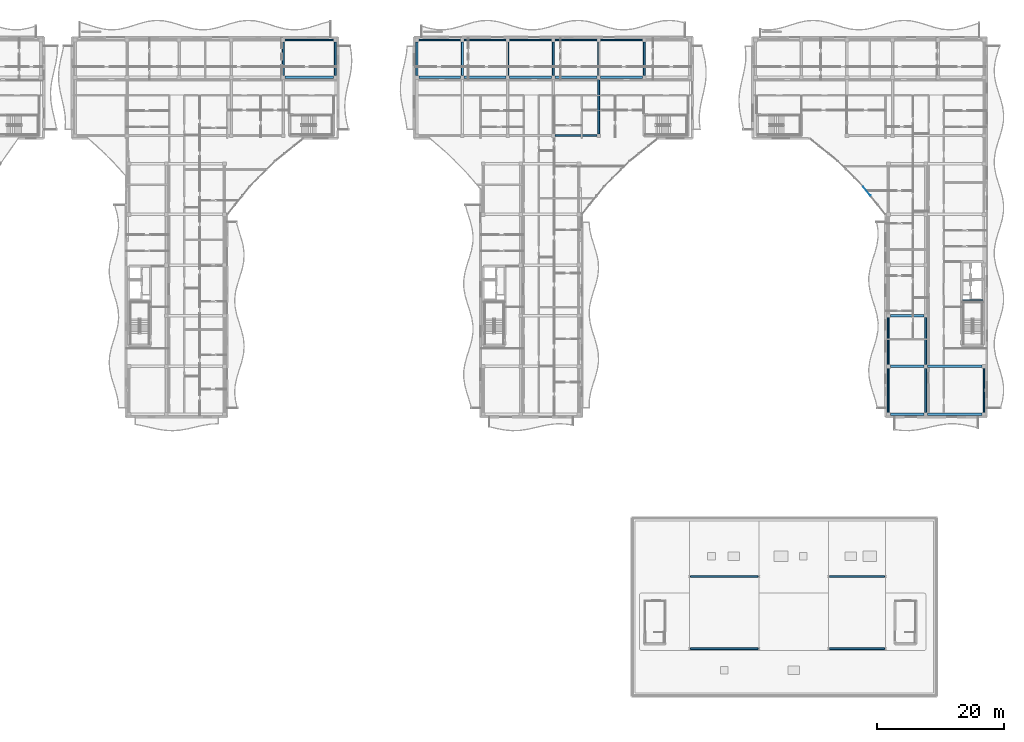
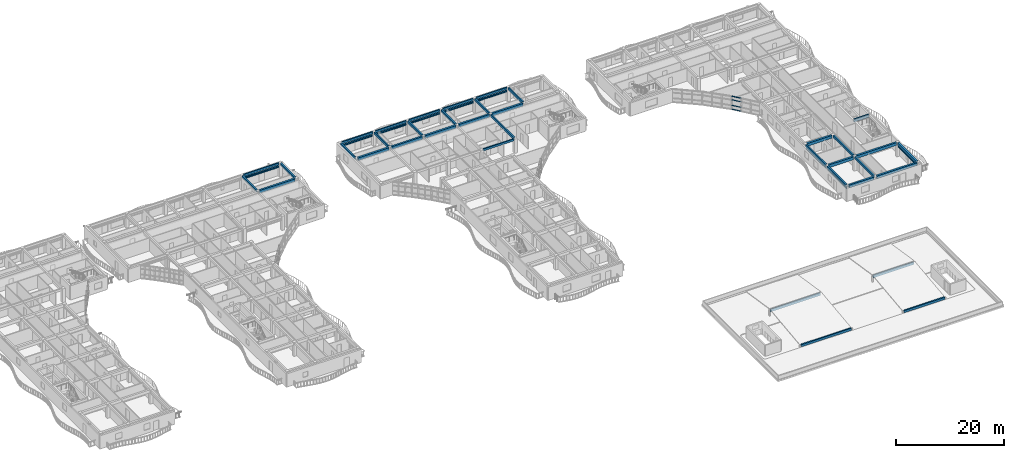
# One storey, part 23 of 79: 37 beams, 22 members, 1 element without a shape of its own.
"""IFC4 building model written with IfcOpenShell, lengths in metres."""

from ifc_helpers import new_model, si_unit, direction, frame, origin, origin_2d, place, context, subcontext, project, spatial, rectangle, hollow_rectangle, extrude, material, layer, layer_set, material_profile, profile_set, type_object, element, aggregate, save


model = new_model("IFC4")

# Units and contexts
model_context = context("Model", 3, precision=1e-05, world=origin(), true_north=direction((0.0, 1.0)))
body_context = subcontext(model_context, "Body", "Model", "MODEL_VIEW")
ifc_project = project(units=[si_unit("LENGTHUNIT", "METRE"), si_unit("AREAUNIT", "SQUARE_METRE"), si_unit("VOLUMEUNIT", "CUBIC_METRE"), si_unit("PLANEANGLEUNIT", "RADIAN"), si_unit("MASSUNIT", "GRAM", prefix="KILO")], contexts=[model_context])

# Site, building, storey
site_placement = place(None, origin())
site = spatial("IfcSite", under=ifc_project, at=site_placement, CompositionType="ELEMENT")
building_placement = place(site_placement, origin())
building = spatial("IfcBuilding", under=site, at=building_placement, Name="Keldmere Railside Commons", CompositionType="ELEMENT")
storey_placement = place(building_placement, frame((0.0, 0.0, 10.56005859375)))
storey = spatial("IfcBuildingStorey", under=building, at=storey_placement, Name="L03", CompositionType="ELEMENT", Elevation=10.56005859375)

# Members
ifc_material_1 = material(Name="Steel F-36 (S355)", Category="steel")
ifc_material_profile_1 = material_profile(ifc_material_1, hollow_rectangle(XDim=0.14990234375, YDim=0.25, WallThickness=0.010009765625, at=origin_2d()), Name="RHS-250x150x10")
ifc_profile_set_1 = profile_set([ifc_material_profile_1], Name="Steel F-36 (S355)")
member_type_1 = type_object("IfcMemberType", Name="Balcony Continuous Planted Trough RHS250x150", PredefinedType="CHORD", material=ifc_profile_set_1)
member_1_placement = place(storey_placement, frame((73.1298828125, 115.550048828125, 2.4150390625), z_axis=(1.0, 0.0, 0.0), x_axis=(0.0, 1.0, 0.0)))
element("IfcMember", 1, at=member_1_placement, inside=storey, type_object=member_type_1, Name="PLT-1 MEM-BPLT-0363", PredefinedType="CHORD", context=body_context, shape_type="SweptSolid", body=[
    extrude(hollow_rectangle(XDim=0.14990234375, YDim=0.25, WallThickness=0.010009765625, at=origin_2d()), origin(), (0.0, 0.0, 1.0), 7.6201171875),
])
member_2_placement = place(storey_placement, frame((94.25, 115.550048828125, 2.4150390625), z_axis=(1.0, 0.0, 0.0), x_axis=(0.0, 1.0, 0.0)))
element("IfcMember", 2, at=member_2_placement, inside=storey, type_object=member_type_1, Name="PLT-1 MEM-BPLT-0389", PredefinedType="CHORD", context=body_context, shape_type="SweptSolid", body=[
    extrude(hollow_rectangle(XDim=0.14990234375, YDim=0.25, WallThickness=0.010009765625, at=origin_2d()), origin(), (0.0, 0.0, 1.0), 6.5830078125),
])
member_3_placement = place(storey_placement, frame((101.43310546875, 115.550048828125, 2.4150390625), z_axis=(1.0, 0.0, 0.0), x_axis=(0.0, 1.0, 0.0)))
element("IfcMember", 3, at=member_3_placement, inside=storey, type_object=member_type_1, Name="PLT-1 MEM-BPLT-0391", PredefinedType="CHORD", context=body_context, shape_type="SweptSolid", body=[
    extrude(hollow_rectangle(XDim=0.14990234375, YDim=0.25, WallThickness=0.010009765625, at=origin_2d()), origin(), (0.0, 0.0, 1.0), 6.583984375),
])
for number, where, z_axis, x_axis, name in (
    (4, (108.616943359375, 115.550048828125, 2.4150390625), (1.0, 0.0, 0.0), (0.0, 1.0, 0.0), "PLT-1 MEM-BPLT-0393"),
    (5, (115.800048828125, 115.550048828125, 2.4150390625), (1.0, 0.0, 0.0), (0.0, 1.0, 0.0), "PLT-1 MEM-BPLT-0395"),
):
    element("IfcMember", number, at=place(storey_placement, frame(where, z_axis=z_axis, x_axis=x_axis)), inside=storey, type_object=member_type_1, Name=name, PredefinedType="CHORD", context=body_context, shape_type="SweptSolid", body=[
        extrude(hollow_rectangle(XDim=0.14990234375, YDim=0.25, WallThickness=0.010009765625, at=origin_2d()), origin(), (0.0, 0.0, 1.0), 6.5830078125),
    ])
member_4_placement = place(storey_placement, frame((122.98291015625, 115.550048828125, 2.4150390625), z_axis=(1.0, 0.0, 0.0), x_axis=(0.0, 1.0, 0.0)))
element("IfcMember", 6, at=member_4_placement, inside=storey, type_object=member_type_1, Name="PLT-1 MEM-BPLT-0397", PredefinedType="CHORD", context=body_context, shape_type="SweptSolid", body=[
    extrude(hollow_rectangle(XDim=0.14990234375, YDim=0.25, WallThickness=0.010009765625, at=origin_2d()), origin(), (0.0, 0.0, 1.0), 6.583984375),
])
member_5_placement = place(storey_placement, frame((168.449951171875, 56.75, 2.4150390625), z_axis=(0.0, 1.0, 0.0), x_axis=(-1.0, 0.0, 0.0)))
element("IfcMember", 7, at=member_5_placement, inside=storey, type_object=member_type_1, Name="PLT-1 MEM-BPLT-0427", PredefinedType="CHORD", context=body_context, shape_type="SweptSolid", body=[
    extrude(hollow_rectangle(XDim=0.14990234375, YDim=0.25, WallThickness=0.010009765625, at=origin_2d()), origin(), (0.0, 0.0, 1.0), 6.949951171875),
])
member_6_placement = place(storey_placement, frame((168.449951171875, 64.300048828125, 2.4150390625), z_axis=(0.0, 1.0, 0.0), x_axis=(-1.0, 0.0, 0.0)))
element("IfcMember", 8, at=member_6_placement, inside=storey, type_object=member_type_1, Name="PLT-1 MEM-BPLT-0429", PredefinedType="CHORD", context=body_context, shape_type="SweptSolid", body=[
    extrude(hollow_rectangle(XDim=0.14990234375, YDim=0.25, WallThickness=0.010009765625, at=origin_2d()), origin(), (0.0, 0.0, 1.0), 7.39990234375),
])
member_7_placement = place(storey_placement, frame((183.550048828125, 56.75, 2.4150390625), z_axis=(0.0, 1.0, 0.0), x_axis=(-1.0, 0.0, 0.0)))
element("IfcMember", 9, at=member_7_placement, inside=storey, type_object=member_type_1, Name="PLT-1 MEM-BPLT-0437", PredefinedType="CHORD", context=body_context, shape_type="SweptSolid", body=[
    extrude(hollow_rectangle(XDim=0.14990234375, YDim=0.25, WallThickness=0.010009765625, at=origin_2d()), origin(), (0.0, 0.0, 1.0), 6.949951171875),
])

# Beams
ifc_material_2 = material(Name="Concrete H-35 (C35/45)", Category="concrete")
ifc_material_profile_2 = material_profile(ifc_material_2, rectangle(XDim=0.300048828125, YDim=0.64990234375, at=origin_2d()), Name="RC-300x650")
ifc_profile_set_2 = profile_set([ifc_material_profile_2], Name="Concrete H-35 (C35/45)")
beam_type_1 = type_object("IfcBeamType", Name="Core Coupling RC Beam 300x650", PredefinedType="BEAM", material=ifc_profile_set_2)
beam_1_placement = place(storey_placement, frame((180.18994140625, 74.39990234375, 2.875), z_axis=(1.0, 0.0, 0.0), x_axis=(0.0, 1.0, 0.0)))
element("IfcBeam", 10, at=beam_1_placement, inside=storey, type_object=beam_type_1, Name="CB-1 BM-L03-2569", PredefinedType="BEAM", context=body_context, shape_type="SweptSolid", body=[
    extrude(rectangle(XDim=0.300048828125, YDim=0.64990234375, at=origin_2d()), origin(), (0.0, 0.0, 1.0), 3.18994140625),
])
ifc_material_3 = material(Name="Architectural Precast Concrete H-35 (C35/45)", Category="concrete")
ifc_material_profile_3 = material_profile(ifc_material_3, rectangle(XDim=0.25, YDim=0.449951171875, at=origin_2d()), Name="RC-250x450")
ifc_profile_set_3 = profile_set([ifc_material_profile_3], Name="Architectural Precast Concrete H-35 (C35/45)")
beam_type_2 = type_object("IfcBeamType", Name="Perimeter Precast Spandrel Beam 250x450", PredefinedType="SPANDREL", material=ifc_profile_set_3)
beam_2_placement = place(storey_placement, frame((115.800048828125, 100.449951171875, 2.974853515625), z_axis=(1.0, 0.0, 0.0), x_axis=(0.0, 1.0, 0.0)))
element("IfcBeam", 11, at=beam_2_placement, inside=storey, type_object=beam_type_2, Name="SPB-1 BM-L03-1376", PredefinedType="SPANDREL", context=body_context, shape_type="SweptSolid", body=[
    extrude(rectangle(XDim=0.25, YDim=0.449951171875, at=origin_2d()), origin(), (0.0, 0.0, 1.0), 6.5830078125),
])
beam_3_placement = place(storey_placement, frame((73.1298828125, 115.550048828125, 2.974853515625), z_axis=(1.0, 0.0, 0.0), x_axis=(0.0, 1.0, 0.0)))
element("IfcBeam", 12, at=beam_3_placement, inside=storey, type_object=beam_type_2, Name="SPB-1 BM-L03-1405", PredefinedType="SPANDREL", context=body_context, shape_type="SweptSolid", body=[
    extrude(rectangle(XDim=0.25, YDim=0.449951171875, at=origin_2d()), origin(), (0.0, 0.0, 1.0), 7.6201171875),
])
beam_4_placement = place(storey_placement, frame((94.25, 115.550048828125, 2.974853515625), z_axis=(1.0, 0.0, 0.0), x_axis=(0.0, 1.0, 0.0)))
element("IfcBeam", 13, at=beam_4_placement, inside=storey, type_object=beam_type_2, Name="SPB-1 BM-L03-1406", PredefinedType="SPANDREL", context=body_context, shape_type="SweptSolid", body=[
    extrude(rectangle(XDim=0.25, YDim=0.449951171875, at=origin_2d()), origin(), (0.0, 0.0, 1.0), 6.5830078125),
])
beam_5_placement = place(storey_placement, frame((101.43310546875, 115.550048828125, 2.974853515625), z_axis=(1.0, 0.0, 0.0), x_axis=(0.0, 1.0, 0.0)))
element("IfcBeam", 14, at=beam_5_placement, inside=storey, type_object=beam_type_2, Name="SPB-1 BM-L03-1407", PredefinedType="SPANDREL", context=body_context, shape_type="SweptSolid", body=[
    extrude(rectangle(XDim=0.25, YDim=0.449951171875, at=origin_2d()), origin(), (0.0, 0.0, 1.0), 6.583984375),
])
for number, where, z_axis, x_axis, name in (
    (15, (108.616943359375, 115.550048828125, 2.974853515625), (1.0, 0.0, 0.0), (0.0, 1.0, 0.0), "SPB-1 BM-L03-1408"),
    (16, (115.800048828125, 115.550048828125, 2.974853515625), (1.0, 0.0, 0.0), (0.0, 1.0, 0.0), "SPB-1 BM-L03-1409"),
):
    element("IfcBeam", number, at=place(storey_placement, frame(where, z_axis=z_axis, x_axis=x_axis)), inside=storey, type_object=beam_type_2, Name=name, PredefinedType="SPANDREL", context=body_context, shape_type="SweptSolid", body=[
        extrude(rectangle(XDim=0.25, YDim=0.449951171875, at=origin_2d()), origin(), (0.0, 0.0, 1.0), 6.5830078125),
    ])
beam_6_placement = place(storey_placement, frame((122.98291015625, 115.550048828125, 2.974853515625), z_axis=(1.0, 0.0, 0.0), x_axis=(0.0, 1.0, 0.0)))
element("IfcBeam", 17, at=beam_6_placement, inside=storey, type_object=beam_type_2, Name="SPB-1 BM-L03-1410", PredefinedType="SPANDREL", context=body_context, shape_type="SweptSolid", body=[
    extrude(rectangle(XDim=0.25, YDim=0.449951171875, at=origin_2d()), origin(), (0.0, 0.0, 1.0), 6.583984375),
])
ifc_material_4 = material(Name="Concrete H-30 (C30/37)", Category="concrete")
ifc_material_profile_4 = material_profile(ifc_material_4, rectangle(XDim=0.35009765625, YDim=0.60009765625, at=origin_2d()), Name="RC-350x600")
ifc_profile_set_4 = profile_set([ifc_material_profile_4], Name="Concrete H-30 (C30/37)")
beam_type_3 = type_object("IfcBeamType", Name="Residential Chord RC Beam 350x600", PredefinedType="BEAM", material=ifc_profile_set_4)
beam_7_placement = place(storey_placement, frame((183.550048828125, 56.75, 2.89990234375), z_axis=(0.0, 1.0, 0.0), x_axis=(-1.0, 0.0, 0.0)))
element("IfcBeam", 18, at=beam_7_placement, inside=storey, type_object=beam_type_3, Name="BG-4 BM-L03-1506", PredefinedType="BEAM", context=body_context, shape_type="SweptSolid", body=[
    extrude(rectangle(XDim=0.35009765625, YDim=0.60009765625, at=origin_2d()), origin(), (0.0, 0.0, 1.0), 6.949951171875),
])
ifc_material_profile_5 = material_profile(ifc_material_4, rectangle(XDim=0.39990234375, YDim=0.64990234375, at=origin_2d()), Name="RC-400x650")
ifc_profile_set_5 = profile_set([ifc_material_profile_5], Name="Concrete H-30 (C30/37)")
beam_type_4 = type_object("IfcBeamType", Name="Residential Spine RC Girder 400x650", PredefinedType="BEAM", material=ifc_profile_set_5)
beam_8_placement = place(storey_placement, frame((168.75, 56.449951171875, 2.875), z_axis=(1.0, 0.0, 0.0), x_axis=(0.0, 1.0, 0.0)))
element("IfcBeam", 19, at=beam_8_placement, inside=storey, type_object=beam_type_4, Name="BG-3 BM-L03-1335", PredefinedType="BEAM", context=body_context, shape_type="SweptSolid", body=[
    extrude(rectangle(XDim=0.39990234375, YDim=0.64990234375, at=origin_2d()), origin(), (0.0, 0.0, 1.0), 5.300048828125),
])
beam_9_placement = place(storey_placement, frame((174.64990234375, 56.449951171875, 2.875), z_axis=(1.0, 0.0, 0.0), x_axis=(0.0, 1.0, 0.0)))
element("IfcBeam", 20, at=beam_9_placement, inside=storey, type_object=beam_type_4, Name="BG-3 BM-L03-1336", PredefinedType="BEAM", context=body_context, shape_type="SweptSolid", body=[
    extrude(rectangle(XDim=0.39990234375, YDim=0.64990234375, at=origin_2d()), origin(), (0.0, 0.0, 1.0), 8.60009765625),
])
beam_10_placement = place(storey_placement, frame((168.75, 64.0, 2.875), z_axis=(1.0, 0.0, 0.0), x_axis=(0.0, 1.0, 0.0)))
element("IfcBeam", 21, at=beam_10_placement, inside=storey, type_object=beam_type_4, Name="BG-3 BM-L03-1343", PredefinedType="BEAM", context=body_context, shape_type="SweptSolid", body=[
    extrude(rectangle(XDim=0.39990234375, YDim=0.64990234375, at=origin_2d()), origin(), (0.0, 0.0, 1.0), 5.300048828125),
])
beam_11_placement = place(storey_placement, frame((174.64990234375, 64.0, 2.875), z_axis=(1.0, 0.0, 0.0), x_axis=(0.0, 1.0, 0.0)))
element("IfcBeam", 22, at=beam_11_placement, inside=storey, type_object=beam_type_4, Name="BG-3 BM-L03-1344", PredefinedType="BEAM", context=body_context, shape_type="SweptSolid", body=[
    extrude(rectangle(XDim=0.39990234375, YDim=0.64990234375, at=origin_2d()), origin(), (0.0, 0.0, 1.0), 8.60009765625),
])
beam_12_placement = place(storey_placement, frame((168.75, 72.0, 2.875), z_axis=(1.0, 0.0, 0.0), x_axis=(0.0, 1.0, 0.0)))
element("IfcBeam", 23, at=beam_12_placement, inside=storey, type_object=beam_type_4, Name="BG-3 BM-L03-1348", PredefinedType="BEAM", context=body_context, shape_type="SweptSolid", body=[
    extrude(rectangle(XDim=0.39990234375, YDim=0.64990234375, at=origin_2d()), origin(), (0.0, 0.0, 1.0), 5.300048828125),
])
beam_13_placement = place(storey_placement, frame((73.1298828125, 109.64990234375, 2.875), z_axis=(1.0, 0.0, 0.0), x_axis=(0.0, 1.0, 0.0)))
element("IfcBeam", 24, at=beam_13_placement, inside=storey, type_object=beam_type_4, Name="BG-3 BM-L03-1386", PredefinedType="BEAM", context=body_context, shape_type="SweptSolid", body=[
    extrude(rectangle(XDim=0.39990234375, YDim=0.64990234375, at=origin_2d()), origin(), (0.0, 0.0, 1.0), 7.6201171875),
])
beam_14_placement = place(storey_placement, frame((94.25, 109.64990234375, 2.875), z_axis=(1.0, 0.0, 0.0), x_axis=(0.0, 1.0, 0.0)))
element("IfcBeam", 25, at=beam_14_placement, inside=storey, type_object=beam_type_4, Name="BG-3 BM-L03-1387", PredefinedType="BEAM", context=body_context, shape_type="SweptSolid", body=[
    extrude(rectangle(XDim=0.39990234375, YDim=0.64990234375, at=origin_2d()), origin(), (0.0, 0.0, 1.0), 6.5830078125),
])
beam_15_placement = place(storey_placement, frame((101.43310546875, 109.64990234375, 2.875), z_axis=(1.0, 0.0, 0.0), x_axis=(0.0, 1.0, 0.0)))
element("IfcBeam", 26, at=beam_15_placement, inside=storey, type_object=beam_type_4, Name="BG-3 BM-L03-1388", PredefinedType="BEAM", context=body_context, shape_type="SweptSolid", body=[
    extrude(rectangle(XDim=0.39990234375, YDim=0.64990234375, at=origin_2d()), origin(), (0.0, 0.0, 1.0), 6.583984375),
])
for number, where, z_axis, x_axis, name in (
    (27, (108.616943359375, 109.64990234375, 2.875), (1.0, 0.0, 0.0), (0.0, 1.0, 0.0), "BG-3 BM-L03-1389"),
    (28, (115.800048828125, 109.64990234375, 2.875), (1.0, 0.0, 0.0), (0.0, 1.0, 0.0), "BG-3 BM-L03-1390"),
):
    element("IfcBeam", number, at=place(storey_placement, frame(where, z_axis=z_axis, x_axis=x_axis)), inside=storey, type_object=beam_type_4, Name=name, PredefinedType="BEAM", context=body_context, shape_type="SweptSolid", body=[
        extrude(rectangle(XDim=0.39990234375, YDim=0.64990234375, at=origin_2d()), origin(), (0.0, 0.0, 1.0), 6.5830078125),
    ])
beam_16_placement = place(storey_placement, frame((122.98291015625, 109.64990234375, 2.875), z_axis=(1.0, 0.0, 0.0), x_axis=(0.0, 1.0, 0.0)))
element("IfcBeam", 29, at=beam_16_placement, inside=storey, type_object=beam_type_4, Name="BG-3 BM-L03-1391", PredefinedType="BEAM", context=body_context, shape_type="SweptSolid", body=[
    extrude(rectangle(XDim=0.39990234375, YDim=0.64990234375, at=origin_2d()), origin(), (0.0, 0.0, 1.0), 6.583984375),
])
ifc_material_profile_6 = material_profile(ifc_material_4, rectangle(XDim=0.300048828125, YDim=0.5, at=origin_2d()), Name="RC-300x500")
ifc_profile_set_6 = profile_set([ifc_material_profile_6], Name="Concrete H-30 (C30/37)")
beam_type_5 = type_object("IfcBeamType", Name="Secondary Frame RC Beam 300x500", PredefinedType="BEAM", material=ifc_profile_set_6)
for number, where, z_axis, x_axis, name in (
    (30, (72.830078125, 109.949951171875, 2.949951171875), (0.0, 1.0, 0.0), (-1.0, 0.0, 0.0), "BG-5 BM-L03-1459"),
    (31, (81.050048828125, 109.949951171875, 2.949951171875), (0.0, 1.0, 0.0), (-1.0, 0.0, 0.0), "BG-5 BM-L03-1460"),
    (32, (93.949951171875, 109.949951171875, 2.949951171875), (0.0, 1.0, 0.0), (-1.0, 0.0, 0.0), "BG-5 BM-L03-1462"),
    (33, (101.133056640625, 109.949951171875, 2.949951171875), (0.0, 1.0, 0.0), (-1.0, 0.0, 0.0), "BG-5 BM-L03-1464"),
    (34, (108.31689453125, 109.949951171875, 2.949951171875), (0.0, 1.0, 0.0), (-1.0, 0.0, 0.0), "BG-5 BM-L03-1468"),
    (35, (115.5, 109.949951171875, 2.949951171875), (0.0, 1.0, 0.0), (-1.0, 0.0, 0.0), "BG-5 BM-L03-1475"),
):
    element("IfcBeam", number, at=place(storey_placement, frame(where, z_axis=z_axis, x_axis=x_axis)), inside=storey, type_object=beam_type_5, Name=name, PredefinedType="BEAM", context=body_context, shape_type="SweptSolid", body=[
        extrude(rectangle(XDim=0.300048828125, YDim=0.5, at=origin_2d()), origin(), (0.0, 0.0, 1.0), 5.300048828125),
    ])
beam_17_placement = place(storey_placement, frame((122.68310546875, 100.75, 2.949951171875), z_axis=(0.0, 1.0, 0.0), x_axis=(-1.0, 0.0, 0.0)))
element("IfcBeam", 36, at=beam_17_placement, inside=storey, type_object=beam_type_5, Name="BG-5 BM-L03-1485", PredefinedType="BEAM", context=body_context, shape_type="SweptSolid", body=[
    extrude(rectangle(XDim=0.300048828125, YDim=0.5, at=origin_2d()), origin(), (0.0, 0.0, 1.0), 8.60009765625),
])
for number, where, z_axis, x_axis, name in (
    (37, (122.68310546875, 109.949951171875, 2.949951171875), (0.0, 1.0, 0.0), (-1.0, 0.0, 0.0), "BG-5 BM-L03-1486"),
    (38, (129.866943359375, 109.949951171875, 2.949951171875), (0.0, 1.0, 0.0), (-1.0, 0.0, 0.0), "BG-5 BM-L03-1487"),
):
    element("IfcBeam", number, at=place(storey_placement, frame(where, z_axis=z_axis, x_axis=x_axis)), inside=storey, type_object=beam_type_5, Name=name, PredefinedType="BEAM", context=body_context, shape_type="SweptSolid", body=[
        extrude(rectangle(XDim=0.300048828125, YDim=0.5, at=origin_2d()), origin(), (0.0, 0.0, 1.0), 5.300048828125),
    ])
beam_18_placement = place(storey_placement, frame((168.449951171875, 56.75, 2.949951171875), z_axis=(0.0, 1.0, 0.0), x_axis=(-1.0, 0.0, 0.0)))
element("IfcBeam", 39, at=beam_18_placement, inside=storey, type_object=beam_type_5, Name="BG-5 BM-L03-1493", PredefinedType="BEAM", context=body_context, shape_type="SweptSolid", body=[
    extrude(rectangle(XDim=0.300048828125, YDim=0.5, at=origin_2d()), origin(), (0.0, 0.0, 1.0), 6.949951171875),
])
beam_19_placement = place(storey_placement, frame((168.449951171875, 64.300048828125, 2.949951171875), z_axis=(0.0, 1.0, 0.0), x_axis=(-1.0, 0.0, 0.0)))
element("IfcBeam", 40, at=beam_19_placement, inside=storey, type_object=beam_type_5, Name="BG-5 BM-L03-1494", PredefinedType="BEAM", context=body_context, shape_type="SweptSolid", body=[
    extrude(rectangle(XDim=0.300048828125, YDim=0.5, at=origin_2d()), origin(), (0.0, 0.0, 1.0), 7.39990234375),
])
beam_20_placement = place(storey_placement, frame((174.35009765625, 56.75, 2.949951171875), z_axis=(0.0, 1.0, 0.0), x_axis=(-1.0, 0.0, 0.0)))
element("IfcBeam", 41, at=beam_20_placement, inside=storey, type_object=beam_type_5, Name="BG-5 BM-L03-1500", PredefinedType="BEAM", context=body_context, shape_type="SweptSolid", body=[
    extrude(rectangle(XDim=0.300048828125, YDim=0.5, at=origin_2d()), origin(), (0.0, 0.0, 1.0), 6.949951171875),
])
beam_21_placement = place(storey_placement, frame((174.35009765625, 64.300048828125, 2.949951171875), z_axis=(0.0, 1.0, 0.0), x_axis=(-1.0, 0.0, 0.0)))
element("IfcBeam", 42, at=beam_21_placement, inside=storey, type_object=beam_type_5, Name="BG-5 BM-L03-1501", PredefinedType="BEAM", context=body_context, shape_type="SweptSolid", body=[
    extrude(rectangle(XDim=0.300048828125, YDim=0.5, at=origin_2d()), origin(), (0.0, 0.0, 1.0), 7.39990234375),
])
for number, where, z_axis, x_axis, name in (
    (43, (137.14990234375, 30.800048828125, 1.33984375), (1.0, 0.0, 0.0), (0.0, 1.0, 0.0), "BG-5 BM-L03-2710"),
    (44, (137.14990234375, 19.39990234375, 0.31982421875), (1.0, 0.0, 0.0), (0.0, 1.0, 0.0), "BG-5 BM-L03-2711"),
):
    element("IfcBeam", number, at=place(storey_placement, frame(where, z_axis=z_axis, x_axis=x_axis)), inside=storey, type_object=beam_type_5, Name=name, PredefinedType="BEAM", context=body_context, shape_type="SweptSolid", body=[
        extrude(rectangle(XDim=0.300048828125, YDim=0.5, at=origin_2d()), origin(), (0.0, 0.0, 1.0), 10.7001953125),
    ])
for number, where, z_axis, x_axis, name in (
    (45, (159.14990234375, 30.800048828125, 1.33984375), (1.0, 0.0, 0.0), (0.0, 1.0, 0.0), "BG-5 BM-L03-2712"),
    (46, (159.14990234375, 19.39990234375, 0.31982421875), (1.0, 0.0, 0.0), (0.0, 1.0, 0.0), "BG-5 BM-L03-2713"),
):
    element("IfcBeam", number, at=place(storey_placement, frame(where, z_axis=z_axis, x_axis=x_axis)), inside=storey, type_object=beam_type_5, Name=name, PredefinedType="BEAM", context=body_context, shape_type="SweptSolid", body=[
        extrude(rectangle(XDim=0.300048828125, YDim=0.5, at=origin_2d()), origin(), (0.0, 0.0, 1.0), 8.7001953125),
    ])

# Members
ifc_material_profile_7 = material_profile(ifc_material_1, hollow_rectangle(XDim=0.10009765625, YDim=0.159912109375, WallThickness=0.008056640625, at=origin_2d()), Name="RHS-160x100x8")
ifc_profile_set_7 = profile_set([ifc_material_profile_7], Name="Steel F-36 (S355)")
member_type_2 = type_object("IfcMemberType", Name="Solar Brise-Soleil Louvre Fin RHS160x100", PredefinedType="STRUT", material=ifc_profile_set_7)
member_8_placement = place(storey_placement, frame((73.1298828125, 115.550048828125, 2.199951171875), z_axis=(1.0, 0.0, 0.0), x_axis=(0.0, 1.0, 0.0)))
element("IfcMember", 47, at=member_8_placement, inside=storey, type_object=member_type_2, Name="BSF-1 MEM-BSF-0364", PredefinedType="STRUT", context=body_context, shape_type="SweptSolid", body=[
    extrude(hollow_rectangle(XDim=0.10009765625, YDim=0.159912109375, WallThickness=0.008056640625, at=origin_2d()), origin(), (0.0, 0.0, 1.0), 7.6201171875),
])
member_9_placement = place(storey_placement, frame((94.25, 115.550048828125, 2.199951171875), z_axis=(1.0, 0.0, 0.0), x_axis=(0.0, 1.0, 0.0)))
element("IfcMember", 48, at=member_9_placement, inside=storey, type_object=member_type_2, Name="BSF-1 MEM-BSF-0390", PredefinedType="STRUT", context=body_context, shape_type="SweptSolid", body=[
    extrude(hollow_rectangle(XDim=0.10009765625, YDim=0.159912109375, WallThickness=0.008056640625, at=origin_2d()), origin(), (0.0, 0.0, 1.0), 6.5830078125),
])
member_10_placement = place(storey_placement, frame((101.43310546875, 115.550048828125, 2.199951171875), z_axis=(1.0, 0.0, 0.0), x_axis=(0.0, 1.0, 0.0)))
element("IfcMember", 49, at=member_10_placement, inside=storey, type_object=member_type_2, Name="BSF-1 MEM-BSF-0392", PredefinedType="STRUT", context=body_context, shape_type="SweptSolid", body=[
    extrude(hollow_rectangle(XDim=0.10009765625, YDim=0.159912109375, WallThickness=0.008056640625, at=origin_2d()), origin(), (0.0, 0.0, 1.0), 6.583984375),
])
for number, where, z_axis, x_axis, name in (
    (50, (108.616943359375, 115.550048828125, 2.199951171875), (1.0, 0.0, 0.0), (0.0, 1.0, 0.0), "BSF-1 MEM-BSF-0394"),
    (51, (115.800048828125, 115.550048828125, 2.199951171875), (1.0, 0.0, 0.0), (0.0, 1.0, 0.0), "BSF-1 MEM-BSF-0396"),
):
    element("IfcMember", number, at=place(storey_placement, frame(where, z_axis=z_axis, x_axis=x_axis)), inside=storey, type_object=member_type_2, Name=name, PredefinedType="STRUT", context=body_context, shape_type="SweptSolid", body=[
        extrude(hollow_rectangle(XDim=0.10009765625, YDim=0.159912109375, WallThickness=0.008056640625, at=origin_2d()), origin(), (0.0, 0.0, 1.0), 6.5830078125),
    ])
member_11_placement = place(storey_placement, frame((122.98291015625, 115.550048828125, 2.199951171875), z_axis=(1.0, 0.0, 0.0), x_axis=(0.0, 1.0, 0.0)))
element("IfcMember", 52, at=member_11_placement, inside=storey, type_object=member_type_2, Name="BSF-1 MEM-BSF-0398", PredefinedType="STRUT", context=body_context, shape_type="SweptSolid", body=[
    extrude(hollow_rectangle(XDim=0.10009765625, YDim=0.159912109375, WallThickness=0.008056640625, at=origin_2d()), origin(), (0.0, 0.0, 1.0), 6.583984375),
])
member_12_placement = place(storey_placement, frame((168.449951171875, 56.75, 2.199951171875), z_axis=(0.0, 1.0, 0.0), x_axis=(-1.0, 0.0, 0.0)))
element("IfcMember", 53, at=member_12_placement, inside=storey, type_object=member_type_2, Name="BSF-1 MEM-BSF-0428", PredefinedType="STRUT", context=body_context, shape_type="SweptSolid", body=[
    extrude(hollow_rectangle(XDim=0.10009765625, YDim=0.159912109375, WallThickness=0.008056640625, at=origin_2d()), origin(), (0.0, 0.0, 1.0), 6.949951171875),
])
member_13_placement = place(storey_placement, frame((168.449951171875, 64.300048828125, 2.199951171875), z_axis=(0.0, 1.0, 0.0), x_axis=(-1.0, 0.0, 0.0)))
element("IfcMember", 54, at=member_13_placement, inside=storey, type_object=member_type_2, Name="BSF-1 MEM-BSF-0430", PredefinedType="STRUT", context=body_context, shape_type="SweptSolid", body=[
    extrude(hollow_rectangle(XDim=0.10009765625, YDim=0.159912109375, WallThickness=0.008056640625, at=origin_2d()), origin(), (0.0, 0.0, 1.0), 7.39990234375),
])
member_14_placement = place(storey_placement, frame((183.550048828125, 56.75, 2.199951171875), z_axis=(0.0, 1.0, 0.0), x_axis=(-1.0, 0.0, 0.0)))
element("IfcMember", 55, at=member_14_placement, inside=storey, type_object=member_type_2, Name="BSF-1 MEM-BSF-0438", PredefinedType="STRUT", context=body_context, shape_type="SweptSolid", body=[
    extrude(hollow_rectangle(XDim=0.10009765625, YDim=0.159912109375, WallThickness=0.008056640625, at=origin_2d()), origin(), (0.0, 0.0, 1.0), 6.949951171875),
])

# Curtain wall, members
ifc_material_5 = material(Name="Thermally Broken Aluminium", Category="aluminium")
ifc_layer = layer(ifc_material_5, 0.159912109375, Name="Court Chord Wintergarden CW 5400x2850")
ifc_layer_set = layer_set([ifc_layer], Name="Thermally Broken Aluminium")
curtain_wall_type = type_object("IfcCurtainWallType", Name="Court Chord Wintergarden CW 5400x2850", PredefinedType="NOTDEFINED", material=ifc_layer_set)
curtain_wall_placement = place(storey_placement, origin())
curtain_wall = element("IfcCurtainWall", 56, at=curtain_wall_placement, inside=storey, type_object=curtain_wall_type, Name="CW-13 CW-L03-168", PredefinedType="NOTDEFINED")
ifc_material_profile_8 = material_profile(ifc_material_5, hollow_rectangle(XDim=0.06494140625, YDim=0.1201171875, WallThickness=0.00390625, at=origin_2d()), Name="ALU-TRAN-65x120")
ifc_profile_set_8 = profile_set([ifc_material_profile_8], Name="Thermally Broken Aluminium")
member_type_3 = type_object("IfcMemberType", Name="Unitised Curtain Wall Transom 65x120", PredefinedType="USERDEFINED", material=ifc_profile_set_8)
member_15_placement = place(storey_placement, frame((165.6103515625, 90.978759765625, 0.032470703125), z_axis=(-0.625805275091, 0.779979331565, 0.0), x_axis=(-0.779979331565, -0.625805275091, 0.0)))
member_15 = element("IfcMember", 57, at=member_15_placement, type_object=member_type_3, Name="CW-13 transom 3.1", ObjectType="TRANSOM", PredefinedType="USERDEFINED", context=body_context, shape_type="SweptSolid", body=[
    extrude(hollow_rectangle(XDim=0.06494140625, YDim=0.1201171875, WallThickness=0.00390625, at=origin_2d()), origin(), (0.0, 0.0, 1.0), 1.795654296875),
])
member_16_placement = place(storey_placement, frame((165.6103515625, 90.978759765625, 0.89990234375), z_axis=(-0.625805275091, 0.779979331565, 0.0), x_axis=(-0.779979331565, -0.625805275091, 0.0)))
member_16 = element("IfcMember", 58, at=member_16_placement, type_object=member_type_3, Name="CW-13 transom 3.2", ObjectType="TRANSOM", PredefinedType="USERDEFINED", context=body_context, shape_type="SweptSolid", body=[
    extrude(hollow_rectangle(XDim=0.06494140625, YDim=0.1201171875, WallThickness=0.00390625, at=origin_2d()), origin(), (0.0, 0.0, 1.0), 1.795654296875),
])
member_17_placement = place(storey_placement, frame((165.6103515625, 90.978759765625, 2.14990234375), z_axis=(-0.625805275091, 0.779979331565, 0.0), x_axis=(-0.779979331565, -0.625805275091, 0.0)))
member_17 = element("IfcMember", 59, at=member_17_placement, type_object=member_type_3, Name="CW-13 transom 3.3", ObjectType="TRANSOM", PredefinedType="USERDEFINED", context=body_context, shape_type="SweptSolid", body=[
    extrude(hollow_rectangle(XDim=0.06494140625, YDim=0.1201171875, WallThickness=0.00390625, at=origin_2d()), origin(), (0.0, 0.0, 1.0), 1.795654296875),
])
member_18_placement = place(storey_placement, frame((165.6103515625, 90.978759765625, 2.947509765625), z_axis=(-0.625805275091, 0.779979331565, 0.0), x_axis=(-0.779979331565, -0.625805275091, 0.0)))
member_18 = element("IfcMember", 60, at=member_18_placement, type_object=member_type_3, Name="CW-13 transom 3.4", ObjectType="TRANSOM", PredefinedType="USERDEFINED", context=body_context, shape_type="SweptSolid", body=[
    extrude(hollow_rectangle(XDim=0.06494140625, YDim=0.1201171875, WallThickness=0.00390625, at=origin_2d()), origin(), (0.0, 0.0, 1.0), 1.795654296875),
])
aggregate(curtain_wall, [member_15, member_16, member_17, member_18])

save(model, "model.ifc")
